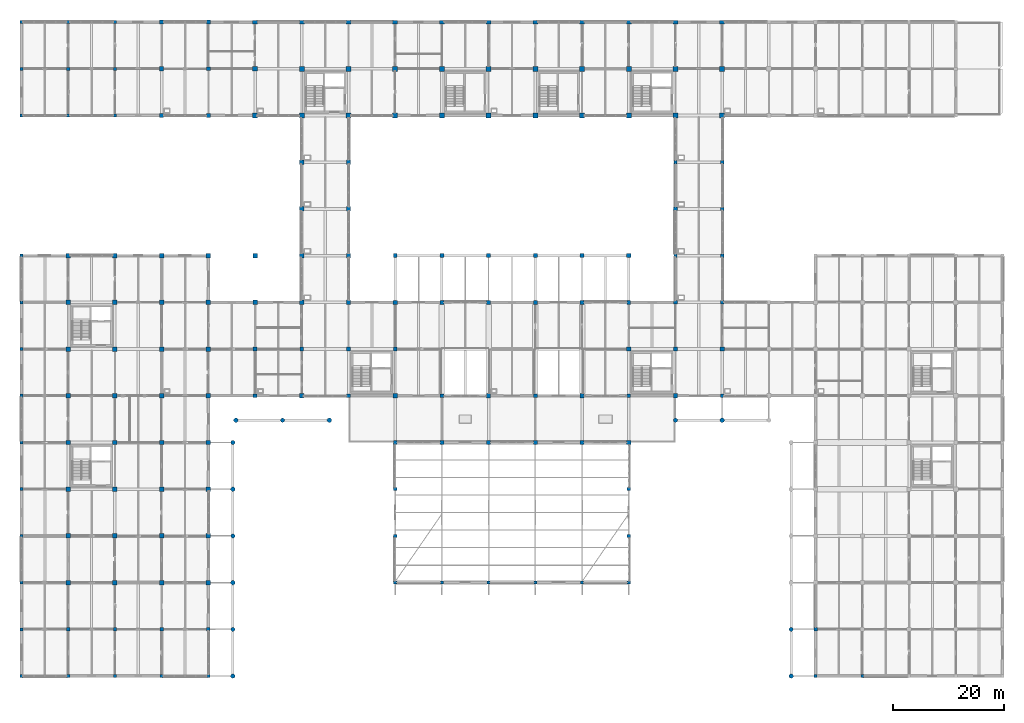
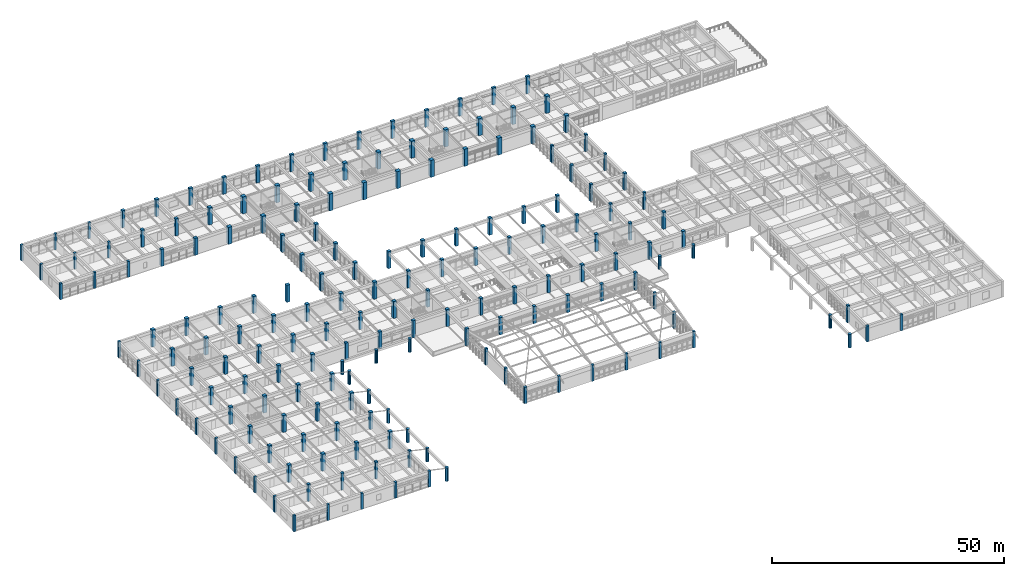
# One storey, part 1 of 99: 178 columns.
"""IFC4 building model written with IfcOpenShell, lengths in metres."""

from ifc_helpers import new_model, si_unit, direction, frame, origin, origin_2d, place, context, subcontext, project, spatial, rectangle, circle, extrude, material, material_profile, profile_set, type_object, element, save


model = new_model("IFC4")

# Units and contexts
model_context = context("Model", 3, precision=1e-05, world=origin(), true_north=direction((0.0, 1.0)))
body_context = subcontext(model_context, "Body", "Model", "MODEL_VIEW")
ifc_project = project(units=[si_unit("LENGTHUNIT", "METRE"), si_unit("AREAUNIT", "SQUARE_METRE"), si_unit("VOLUMEUNIT", "CUBIC_METRE"), si_unit("PLANEANGLEUNIT", "RADIAN"), si_unit("MASSUNIT", "GRAM", prefix="KILO")], contexts=[model_context])

# Site, building, storey
site_placement = place(None, origin())
site = spatial("IfcSite", under=ifc_project, at=site_placement, CompositionType="ELEMENT")
building_placement = place(site_placement, origin())
building = spatial("IfcBuilding", under=site, at=building_placement, Name="Porcellanite Civic Hall", CompositionType="ELEMENT")
storey_placement = place(building_placement, frame((0.0, 0.0, 5.760009765625)))
storey = spatial("IfcBuildingStorey", under=building, at=storey_placement, Name="L01", CompositionType="ELEMENT", Elevation=5.760009765625)

# Columns
ifc_material_1 = material(Name="Concrete N50 (50 MPa)", Category="concrete")
ifc_material_profile_1 = material_profile(ifc_material_1, rectangle(XDim=0.550048828125, YDim=0.550048828125, at=origin_2d()), Name="RC-550x550")
ifc_profile_set_1 = profile_set([ifc_material_profile_1], Name="Concrete N50 (50 MPa)")
column_type_1 = type_object("IfcColumnType", Name="COL-550", PredefinedType="COLUMN", material=ifc_profile_set_1)
for number, where, z_axis, x_axis, name in (
    (1, (0.0, 0.0, 0.0), (0.0, 0.0, 1.0), (1.0, 0.0, 0.0), "Column L01 0-0"),
    (2, (0.0, 8.39990234375, 0.0), (0.0, 0.0, 1.0), (1.0, 0.0, 0.0), "Column L01 0-1"),
    (3, (0.0, 16.800048828125, 0.0), (0.0, 0.0, 1.0), (1.0, 0.0, 0.0), "Column L01 0-2"),
    (4, (0.0, 25.199951171875, 0.0), (0.0, 0.0, 1.0), (1.0, 0.0, 0.0), "Column L01 0-3"),
    (5, (0.0, 33.60009765625, 0.0), (0.0, 0.0, 1.0), (1.0, 0.0, 0.0), "Column L01 0-4"),
    (6, (0.0, 42.0, 0.0), (0.0, 0.0, 1.0), (1.0, 0.0, 0.0), "Column L01 0-5"),
    (7, (0.0, 50.39990234375, 0.0), (0.0, 0.0, 1.0), (1.0, 0.0, 0.0), "Column L01 0-6"),
    (8, (0.0, 58.800048828125, 0.0), (0.0, 0.0, 1.0), (1.0, 0.0, 0.0), "Column L01 0-7"),
    (9, (0.0, 67.199951171875, 0.0), (0.0, 0.0, 1.0), (1.0, 0.0, 0.0), "Column L01 0-8"),
    (10, (0.0, 75.60009765625, 0.0), (0.0, 0.0, 1.0), (1.0, 0.0, 0.0), "Column L01 0-9"),
    (11, (0.0, 100.800048828125, 0.0), (0.0, 0.0, 1.0), (1.0, 0.0, 0.0), "Column L01 0-12"),
    (12, (0.0, 109.199951171875, 0.0), (0.0, 0.0, 1.0), (1.0, 0.0, 0.0), "Column L01 0-13"),
    (13, (0.0, 117.60009765625, 0.0), (0.0, 0.0, 1.0), (1.0, 0.0, 0.0), "Column L01 0-14"),
    (14, (8.39990234375, 0.0, 0.0), (0.0, 0.0, 1.0), (1.0, 0.0, 0.0), "Column L01 1-0"),
    (15, (8.39990234375, 100.800048828125, 0.0), (0.0, 0.0, 1.0), (1.0, 0.0, 0.0), "Column L01 1-12"),
    (16, (8.39990234375, 109.199951171875, 0.0), (0.0, 0.0, 1.0), (1.0, 0.0, 0.0), "Column L01 1-13"),
    (17, (8.39990234375, 117.60009765625, 0.0), (0.0, 0.0, 1.0), (1.0, 0.0, 0.0), "Column L01 1-14"),
    (18, (16.800048828125, 0.0, 0.0), (0.0, 0.0, 1.0), (1.0, 0.0, 0.0), "Column L01 2-0"),
    (19, (16.800048828125, 100.800048828125, 0.0), (0.0, 0.0, 1.0), (1.0, 0.0, 0.0), "Column L01 2-12"),
    (20, (16.800048828125, 109.199951171875, 0.0), (0.0, 0.0, 1.0), (1.0, 0.0, 0.0), "Column L01 2-13"),
    (21, (16.800048828125, 117.60009765625, 0.0), (0.0, 0.0, 1.0), (1.0, 0.0, 0.0), "Column L01 2-14"),
    (22, (25.199951171875, 0.0, 0.0), (0.0, 0.0, 1.0), (1.0, 0.0, 0.0), "Column L01 3-0"),
    (23, (33.60009765625, 0.0, 0.0), (0.0, 0.0, 1.0), (1.0, 0.0, 0.0), "Column L01 4-0"),
):
    element("IfcColumn", number, at=place(storey_placement, frame(where, z_axis=z_axis, x_axis=x_axis)), inside=storey, type_object=column_type_1, Name=name, PredefinedType="COLUMN", context=body_context, shape_type="SweptSolid", body=[
        extrude(rectangle(XDim=0.550048828125, YDim=0.550048828125, at=origin_2d()), origin(), (0.0, 0.0, 1.0), 4.199951171875),
    ])
for number, where, z_axis, x_axis, name in (
    (24, (67.199951171875, 16.800048828125, 0.0), (0.0, 0.0, 1.0), (1.0, 0.0, 0.0), "Column L01 8-2"),
    (25, (67.199951171875, 25.199951171875, 0.0), (0.0, 0.0, 1.0), (1.0, 0.0, 0.0), "Column L01 8-3"),
    (26, (67.199951171875, 33.60009765625, 0.0), (0.0, 0.0, 1.0), (1.0, 0.0, 0.0), "Column L01 8-4"),
    (27, (75.60009765625, 16.800048828125, 0.0), (0.0, 0.0, 1.0), (1.0, 0.0, 0.0), "Column L01 9-2"),
    (28, (84.0, 16.800048828125, 0.0), (0.0, 0.0, 1.0), (1.0, 0.0, 0.0), "Column L01 10-2"),
    (29, (92.39990234375, 16.800048828125, 0.0), (0.0, 0.0, 1.0), (1.0, 0.0, 0.0), "Column L01 11-2"),
    (30, (100.800048828125, 16.800048828125, 0.0), (0.0, 0.0, 1.0), (1.0, 0.0, 0.0), "Column L01 12-2"),
    (31, (109.199951171875, 16.800048828125, 0.0), (0.0, 0.0, 1.0), (1.0, 0.0, 0.0), "Column L01 13-2"),
    (32, (109.199951171875, 25.199951171875, 0.0), (0.0, 0.0, 1.0), (1.0, 0.0, 0.0), "Column L01 13-3"),
    (33, (109.199951171875, 33.60009765625, 0.0), (0.0, 0.0, 1.0), (1.0, 0.0, 0.0), "Column L01 13-4"),
):
    element("IfcColumn", number, at=place(storey_placement, frame(where, z_axis=z_axis, x_axis=x_axis)), inside=storey, type_object=column_type_1, Name=name, PredefinedType="COLUMN", context=body_context, shape_type="SweptSolid", body=[
        extrude(rectangle(XDim=0.550048828125, YDim=0.550048828125, at=origin_2d()), origin(), (0.0, 0.0, 1.0), 4.340087890625),
    ])
for number, where, z_axis, x_axis, name in (
    (34, (142.800048828125, 0.0, 0.0), (0.0, 0.0, 1.0), (1.0, 0.0, 0.0), "Column L01 17-0"),
    (35, (151.199951171875, 0.0, 0.0), (0.0, 0.0, 1.0), (1.0, 0.0, 0.0), "Column L01 18-0"),
):
    element("IfcColumn", number, at=place(storey_placement, frame(where, z_axis=z_axis, x_axis=x_axis)), inside=storey, type_object=column_type_1, Name=name, PredefinedType="COLUMN", context=body_context, shape_type="SweptSolid", body=[
        extrude(rectangle(XDim=0.550048828125, YDim=0.550048828125, at=origin_2d()), origin(), (0.0, 0.0, 1.0), 4.199951171875),
    ])
ifc_material_2 = material(Name="Concrete N50 (50 MPa)", Category="concrete")
ifc_material_profile_2 = material_profile(ifc_material_2, rectangle(XDim=0.60009765625, YDim=0.60009765625, at=origin_2d()), Name="RC-600x600")
ifc_profile_set_2 = profile_set([ifc_material_profile_2], Name="Concrete N50 (50 MPa)")
column_type_2 = type_object("IfcColumnType", Name="COL-600", PredefinedType="COLUMN", material=ifc_profile_set_2)
for number, where, z_axis, x_axis, name in (
    (36, (16.800048828125, 8.39990234375, 0.0), (0.0, 0.0, 1.0), (1.0, 0.0, 0.0), "Column L01 2-1"),
    (37, (33.60009765625, 8.39990234375, 0.0), (0.0, 0.0, 1.0), (1.0, 0.0, 0.0), "Column L01 4-1"),
    (38, (117.60009765625, 75.60009765625, 0.0), (0.0, 0.0, 1.0), (1.0, 0.0, 0.0), "Column L01 14-9"),
    (39, (117.60009765625, 92.39990234375, 0.0), (0.0, 0.0, 1.0), (1.0, 0.0, 0.0), "Column L01 14-11"),
    (40, (126.0, 67.199951171875, 0.0), (0.0, 0.0, 1.0), (1.0, 0.0, 0.0), "Column L01 15-8"),
    (41, (126.0, 84.0, 0.0), (0.0, 0.0, 1.0), (1.0, 0.0, 0.0), "Column L01 15-10"),
):
    element("IfcColumn", number, at=place(storey_placement, frame(where, z_axis=z_axis, x_axis=x_axis)), inside=storey, type_object=column_type_2, Name=name, PredefinedType="COLUMN", context=body_context, shape_type="SweptSolid", body=[
        extrude(rectangle(XDim=0.60009765625, YDim=0.60009765625, at=origin_2d()), origin(), (0.0, 0.0, 1.0), 4.5),
    ])
ifc_material_3 = material(Name="Concrete N50 (50 MPa)", Category="concrete")
ifc_material_profile_3 = material_profile(ifc_material_3, rectangle(XDim=0.64990234375, YDim=0.64990234375, at=origin_2d()), Name="RC-650x650")
ifc_profile_set_3 = profile_set([ifc_material_profile_3], Name="Concrete N50 (50 MPa)")
column_type_3 = type_object("IfcColumnType", Name="COL-650", PredefinedType="COLUMN", material=ifc_profile_set_3)
for number, where, z_axis, x_axis, name in (
    (42, (8.39990234375, 8.39990234375, 0.0), (0.0, 0.0, 1.0), (1.0, 0.0, 0.0), "Column L01 1-1"),
    (43, (25.199951171875, 8.39990234375, 0.0), (0.0, 0.0, 1.0), (1.0, 0.0, 0.0), "Column L01 3-1"),
    (44, (117.60009765625, 67.199951171875, 0.0), (0.0, 0.0, 1.0), (1.0, 0.0, 0.0), "Column L01 14-8"),
    (45, (117.60009765625, 84.0, 0.0), (0.0, 0.0, 1.0), (1.0, 0.0, 0.0), "Column L01 14-10"),
    (46, (126.0, 75.60009765625, 0.0), (0.0, 0.0, 1.0), (1.0, 0.0, 0.0), "Column L01 15-9"),
    (47, (126.0, 92.39990234375, 0.0), (0.0, 0.0, 1.0), (1.0, 0.0, 0.0), "Column L01 15-11"),
    (48, (142.800048828125, 8.39990234375, 0.0), (0.0, 0.0, 1.0), (1.0, 0.0, 0.0), "Column L01 17-1"),
):
    element("IfcColumn", number, at=place(storey_placement, frame(where, z_axis=z_axis, x_axis=x_axis)), inside=storey, type_object=column_type_3, Name=name, PredefinedType="COLUMN", context=body_context, shape_type="SweptSolid", body=[
        extrude(rectangle(XDim=0.64990234375, YDim=0.64990234375, at=origin_2d()), origin(), (0.0, 0.0, 1.0), 4.5),
    ])
ifc_material_4 = material(Name="Concrete N50 (50 MPa)", Category="concrete")
ifc_material_profile_4 = material_profile(ifc_material_4, rectangle(XDim=0.699951171875, YDim=0.699951171875, at=origin_2d()), Name="RC-700x700")
ifc_profile_set_4 = profile_set([ifc_material_profile_4], Name="Concrete N50 (50 MPa)")
column_type_4 = type_object("IfcColumnType", Name="COL-700", PredefinedType="COLUMN", material=ifc_profile_set_4)
for number, where, z_axis, x_axis, name in (
    (49, (25.199951171875, 100.800048828125, 0.0), (0.0, 0.0, 1.0), (1.0, 0.0, 0.0), "Column L01 3-12"),
    (50, (25.199951171875, 117.60009765625, 0.0), (0.0, 0.0, 1.0), (1.0, 0.0, 0.0), "Column L01 3-14"),
    (51, (33.60009765625, 109.199951171875, 0.0), (0.0, 0.0, 1.0), (1.0, 0.0, 0.0), "Column L01 4-13"),
    (52, (42.0, 50.39990234375, 0.0), (0.0, 0.0, 1.0), (1.0, 0.0, 0.0), "Column L01 5-6"),
    (53, (50.39990234375, 58.800048828125, 0.0), (0.0, 0.0, 1.0), (1.0, 0.0, 0.0), "Column L01 6-7"),
    (54, (58.800048828125, 50.39990234375, 0.0), (0.0, 0.0, 1.0), (1.0, 0.0, 0.0), "Column L01 7-6"),
    (55, (67.199951171875, 42.0, 0.0), (0.0, 0.0, 1.0), (1.0, 0.0, 0.0), "Column L01 8-5"),
    (56, (67.199951171875, 58.800048828125, 0.0), (0.0, 0.0, 1.0), (1.0, 0.0, 0.0), "Column L01 8-7"),
    (57, (67.199951171875, 75.60009765625, 0.0), (0.0, 0.0, 1.0), (1.0, 0.0, 0.0), "Column L01 8-9"),
    (58, (75.60009765625, 50.39990234375, 0.0), (0.0, 0.0, 1.0), (1.0, 0.0, 0.0), "Column L01 9-6"),
    (59, (75.60009765625, 67.199951171875, 0.0), (0.0, 0.0, 1.0), (1.0, 0.0, 0.0), "Column L01 9-8"),
    (60, (84.0, 42.0, 0.0), (0.0, 0.0, 1.0), (1.0, 0.0, 0.0), "Column L01 10-5"),
    (61, (84.0, 75.60009765625, 0.0), (0.0, 0.0, 1.0), (1.0, 0.0, 0.0), "Column L01 10-9"),
    (62, (92.39990234375, 50.39990234375, 0.0), (0.0, 0.0, 1.0), (1.0, 0.0, 0.0), "Column L01 11-6"),
    (63, (92.39990234375, 67.199951171875, 0.0), (0.0, 0.0, 1.0), (1.0, 0.0, 0.0), "Column L01 11-8"),
    (64, (100.800048828125, 42.0, 0.0), (0.0, 0.0, 1.0), (1.0, 0.0, 0.0), "Column L01 12-5"),
    (65, (100.800048828125, 75.60009765625, 0.0), (0.0, 0.0, 1.0), (1.0, 0.0, 0.0), "Column L01 12-9"),
    (66, (109.199951171875, 50.39990234375, 0.0), (0.0, 0.0, 1.0), (1.0, 0.0, 0.0), "Column L01 13-6"),
    (67, (109.199951171875, 67.199951171875, 0.0), (0.0, 0.0, 1.0), (1.0, 0.0, 0.0), "Column L01 13-8"),
    (68, (117.60009765625, 58.800048828125, 0.0), (0.0, 0.0, 1.0), (1.0, 0.0, 0.0), "Column L01 14-7"),
    (69, (126.0, 50.39990234375, 0.0), (0.0, 0.0, 1.0), (1.0, 0.0, 0.0), "Column L01 15-6"),
):
    element("IfcColumn", number, at=place(storey_placement, frame(where, z_axis=z_axis, x_axis=x_axis)), inside=storey, type_object=column_type_4, Name=name, PredefinedType="COLUMN", context=body_context, shape_type="SweptSolid", body=[
        extrude(rectangle(XDim=0.699951171875, YDim=0.699951171875, at=origin_2d()), origin(), (0.0, 0.0, 1.0), 4.5),
    ])
ifc_material_5 = material(Name="Concrete N50 (50 MPa)", Category="concrete")
ifc_material_profile_5 = material_profile(ifc_material_5, rectangle(XDim=0.75, YDim=0.75, at=origin_2d()), Name="RC-750x750")
ifc_profile_set_5 = profile_set([ifc_material_profile_5], Name="Concrete N50 (50 MPa)")
column_type_5 = type_object("IfcColumnType", Name="COL-750", PredefinedType="COLUMN", material=ifc_profile_set_5)
for number, where, z_axis, x_axis, name in (
    (70, (25.199951171875, 109.199951171875, 0.0), (0.0, 0.0, 1.0), (1.0, 0.0, 0.0), "Column L01 3-13"),
    (71, (33.60009765625, 100.800048828125, 0.0), (0.0, 0.0, 1.0), (1.0, 0.0, 0.0), "Column L01 4-12"),
    (72, (33.60009765625, 117.60009765625, 0.0), (0.0, 0.0, 1.0), (1.0, 0.0, 0.0), "Column L01 4-14"),
    (73, (42.0, 58.800048828125, 0.0), (0.0, 0.0, 1.0), (1.0, 0.0, 0.0), "Column L01 5-7"),
    (74, (50.39990234375, 50.39990234375, 0.0), (0.0, 0.0, 1.0), (1.0, 0.0, 0.0), "Column L01 6-6"),
    (75, (58.800048828125, 58.800048828125, 0.0), (0.0, 0.0, 1.0), (1.0, 0.0, 0.0), "Column L01 7-7"),
    (76, (67.199951171875, 50.39990234375, 0.0), (0.0, 0.0, 1.0), (1.0, 0.0, 0.0), "Column L01 8-6"),
    (77, (67.199951171875, 67.199951171875, 0.0), (0.0, 0.0, 1.0), (1.0, 0.0, 0.0), "Column L01 8-8"),
    (78, (75.60009765625, 42.0, 0.0), (0.0, 0.0, 1.0), (1.0, 0.0, 0.0), "Column L01 9-5"),
    (79, (75.60009765625, 75.60009765625, 0.0), (0.0, 0.0, 1.0), (1.0, 0.0, 0.0), "Column L01 9-9"),
    (80, (84.0, 50.39990234375, 0.0), (0.0, 0.0, 1.0), (1.0, 0.0, 0.0), "Column L01 10-6"),
    (81, (84.0, 67.199951171875, 0.0), (0.0, 0.0, 1.0), (1.0, 0.0, 0.0), "Column L01 10-8"),
    (82, (92.39990234375, 42.0, 0.0), (0.0, 0.0, 1.0), (1.0, 0.0, 0.0), "Column L01 11-5"),
    (83, (92.39990234375, 75.60009765625, 0.0), (0.0, 0.0, 1.0), (1.0, 0.0, 0.0), "Column L01 11-9"),
    (84, (100.800048828125, 50.39990234375, 0.0), (0.0, 0.0, 1.0), (1.0, 0.0, 0.0), "Column L01 12-6"),
    (85, (100.800048828125, 67.199951171875, 0.0), (0.0, 0.0, 1.0), (1.0, 0.0, 0.0), "Column L01 12-8"),
    (86, (109.199951171875, 42.0, 0.0), (0.0, 0.0, 1.0), (1.0, 0.0, 0.0), "Column L01 13-5"),
    (87, (109.199951171875, 58.800048828125, 0.0), (0.0, 0.0, 1.0), (1.0, 0.0, 0.0), "Column L01 13-7"),
    (88, (109.199951171875, 75.60009765625, 0.0), (0.0, 0.0, 1.0), (1.0, 0.0, 0.0), "Column L01 13-9"),
    (89, (117.60009765625, 50.39990234375, 0.0), (0.0, 0.0, 1.0), (1.0, 0.0, 0.0), "Column L01 14-6"),
    (90, (126.0, 58.800048828125, 0.0), (0.0, 0.0, 1.0), (1.0, 0.0, 0.0), "Column L01 15-7"),
):
    element("IfcColumn", number, at=place(storey_placement, frame(where, z_axis=z_axis, x_axis=x_axis)), inside=storey, type_object=column_type_5, Name=name, PredefinedType="COLUMN", context=body_context, shape_type="SweptSolid", body=[
        extrude(rectangle(XDim=0.75, YDim=0.75, at=origin_2d()), origin(), (0.0, 0.0, 1.0), 4.5),
    ])
ifc_material_6 = material(Name="Concrete N50 (50 MPa)", Category="concrete")
ifc_material_profile_6 = material_profile(ifc_material_6, rectangle(XDim=0.800048828125, YDim=0.800048828125, at=origin_2d()), Name="RC-800x800")
ifc_profile_set_6 = profile_set([ifc_material_profile_6], Name="Concrete N50 (50 MPa)")
column_type_6 = type_object("IfcColumnType", Name="COL-800", PredefinedType="COLUMN", material=ifc_profile_set_6)
for number, where, z_axis, x_axis, name in (
    (91, (8.39990234375, 16.800048828125, 0.0), (0.0, 0.0, 1.0), (1.0, 0.0, 0.0), "Column L01 1-2"),
    (92, (8.39990234375, 25.199951171875, 0.0), (0.0, 0.0, 1.0), (1.0, 0.0, 0.0), "Column L01 1-3"),
    (93, (8.39990234375, 33.60009765625, 0.0), (0.0, 0.0, 1.0), (1.0, 0.0, 0.0), "Column L01 1-4"),
    (94, (8.39990234375, 42.0, 0.0), (0.0, 0.0, 1.0), (1.0, 0.0, 0.0), "Column L01 1-5"),
    (95, (8.39990234375, 50.39990234375, 0.0), (0.0, 0.0, 1.0), (1.0, 0.0, 0.0), "Column L01 1-6"),
    (96, (8.39990234375, 58.800048828125, 0.0), (0.0, 0.0, 1.0), (1.0, 0.0, 0.0), "Column L01 1-7"),
    (97, (8.39990234375, 67.199951171875, 0.0), (0.0, 0.0, 1.0), (1.0, 0.0, 0.0), "Column L01 1-8"),
    (98, (8.39990234375, 75.60009765625, 0.0), (0.0, 0.0, 1.0), (1.0, 0.0, 0.0), "Column L01 1-9"),
    (99, (16.800048828125, 16.800048828125, 0.0), (0.0, 0.0, 1.0), (1.0, 0.0, 0.0), "Column L01 2-2"),
    (100, (16.800048828125, 25.199951171875, 0.0), (0.0, 0.0, 1.0), (1.0, 0.0, 0.0), "Column L01 2-3"),
    (101, (16.800048828125, 33.60009765625, 0.0), (0.0, 0.0, 1.0), (1.0, 0.0, 0.0), "Column L01 2-4"),
    (102, (16.800048828125, 42.0, 0.0), (0.0, 0.0, 1.0), (1.0, 0.0, 0.0), "Column L01 2-5"),
    (103, (16.800048828125, 50.39990234375, 0.0), (0.0, 0.0, 1.0), (1.0, 0.0, 0.0), "Column L01 2-6"),
    (104, (16.800048828125, 58.800048828125, 0.0), (0.0, 0.0, 1.0), (1.0, 0.0, 0.0), "Column L01 2-7"),
    (105, (16.800048828125, 67.199951171875, 0.0), (0.0, 0.0, 1.0), (1.0, 0.0, 0.0), "Column L01 2-8"),
    (106, (16.800048828125, 75.60009765625, 0.0), (0.0, 0.0, 1.0), (1.0, 0.0, 0.0), "Column L01 2-9"),
    (107, (25.199951171875, 16.800048828125, 0.0), (0.0, 0.0, 1.0), (1.0, 0.0, 0.0), "Column L01 3-2"),
    (108, (25.199951171875, 25.199951171875, 0.0), (0.0, 0.0, 1.0), (1.0, 0.0, 0.0), "Column L01 3-3"),
    (109, (25.199951171875, 33.60009765625, 0.0), (0.0, 0.0, 1.0), (1.0, 0.0, 0.0), "Column L01 3-4"),
    (110, (25.199951171875, 42.0, 0.0), (0.0, 0.0, 1.0), (1.0, 0.0, 0.0), "Column L01 3-5"),
    (111, (25.199951171875, 50.39990234375, 0.0), (0.0, 0.0, 1.0), (1.0, 0.0, 0.0), "Column L01 3-6"),
    (112, (25.199951171875, 58.800048828125, 0.0), (0.0, 0.0, 1.0), (1.0, 0.0, 0.0), "Column L01 3-7"),
    (113, (25.199951171875, 67.199951171875, 0.0), (0.0, 0.0, 1.0), (1.0, 0.0, 0.0), "Column L01 3-8"),
    (114, (25.199951171875, 75.60009765625, 0.0), (0.0, 0.0, 1.0), (1.0, 0.0, 0.0), "Column L01 3-9"),
    (115, (33.60009765625, 16.800048828125, 0.0), (0.0, 0.0, 1.0), (1.0, 0.0, 0.0), "Column L01 4-2"),
    (116, (33.60009765625, 25.199951171875, 0.0), (0.0, 0.0, 1.0), (1.0, 0.0, 0.0), "Column L01 4-3"),
    (117, (33.60009765625, 33.60009765625, 0.0), (0.0, 0.0, 1.0), (1.0, 0.0, 0.0), "Column L01 4-4"),
    (118, (33.60009765625, 42.0, 0.0), (0.0, 0.0, 1.0), (1.0, 0.0, 0.0), "Column L01 4-5"),
    (119, (33.60009765625, 50.39990234375, 0.0), (0.0, 0.0, 1.0), (1.0, 0.0, 0.0), "Column L01 4-6"),
    (120, (33.60009765625, 58.800048828125, 0.0), (0.0, 0.0, 1.0), (1.0, 0.0, 0.0), "Column L01 4-7"),
    (121, (33.60009765625, 67.199951171875, 0.0), (0.0, 0.0, 1.0), (1.0, 0.0, 0.0), "Column L01 4-8"),
    (122, (33.60009765625, 75.60009765625, 0.0), (0.0, 0.0, 1.0), (1.0, 0.0, 0.0), "Column L01 4-9"),
    (123, (42.0, 67.199951171875, 0.0), (0.0, 0.0, 1.0), (1.0, 0.0, 0.0), "Column L01 5-8"),
    (124, (42.0, 75.60009765625, 0.0), (0.0, 0.0, 1.0), (1.0, 0.0, 0.0), "Column L01 5-9"),
    (125, (50.39990234375, 67.199951171875, 0.0), (0.0, 0.0, 1.0), (1.0, 0.0, 0.0), "Column L01 6-8"),
    (126, (50.39990234375, 75.60009765625, 0.0), (0.0, 0.0, 1.0), (1.0, 0.0, 0.0), "Column L01 6-9"),
    (127, (50.39990234375, 84.0, 0.0), (0.0, 0.0, 1.0), (1.0, 0.0, 0.0), "Column L01 6-10"),
    (128, (50.39990234375, 92.39990234375, 0.0), (0.0, 0.0, 1.0), (1.0, 0.0, 0.0), "Column L01 6-11"),
    (129, (58.800048828125, 67.199951171875, 0.0), (0.0, 0.0, 1.0), (1.0, 0.0, 0.0), "Column L01 7-8"),
    (130, (58.800048828125, 75.60009765625, 0.0), (0.0, 0.0, 1.0), (1.0, 0.0, 0.0), "Column L01 7-9"),
    (131, (58.800048828125, 84.0, 0.0), (0.0, 0.0, 1.0), (1.0, 0.0, 0.0), "Column L01 7-10"),
    (132, (58.800048828125, 92.39990234375, 0.0), (0.0, 0.0, 1.0), (1.0, 0.0, 0.0), "Column L01 7-11"),
):
    element("IfcColumn", number, at=place(storey_placement, frame(where, z_axis=z_axis, x_axis=x_axis)), inside=storey, type_object=column_type_6, Name=name, PredefinedType="COLUMN", context=body_context, shape_type="SweptSolid", body=[
        extrude(rectangle(XDim=0.800048828125, YDim=0.800048828125, at=origin_2d()), origin(), (0.0, 0.0, 1.0), 4.5),
    ])
ifc_material_7 = material(Name="Concrete N50 (50 MPa)", Category="concrete")
ifc_material_profile_7 = material_profile(ifc_material_7, rectangle(XDim=0.85009765625, YDim=0.85009765625, at=origin_2d()), Name="RC-850x850")
ifc_profile_set_7 = profile_set([ifc_material_profile_7], Name="Concrete N50 (50 MPa)")
column_type_7 = type_object("IfcColumnType", Name="COL-850", PredefinedType="COLUMN", material=ifc_profile_set_7)
for number, where, z_axis, x_axis, name in (
    (133, (42.0, 100.800048828125, 0.0), (0.0, 0.0, 1.0), (1.0, 0.0, 0.0), "Column L01 5-12"),
    (134, (42.0, 109.199951171875, 0.0), (0.0, 0.0, 1.0), (1.0, 0.0, 0.0), "Column L01 5-13"),
):
    element("IfcColumn", number, at=place(storey_placement, frame(where, z_axis=z_axis, x_axis=x_axis)), inside=storey, type_object=column_type_7, Name=name, PredefinedType="COLUMN", context=body_context, shape_type="SweptSolid", body=[
        extrude(rectangle(XDim=0.85009765625, YDim=0.85009765625, at=origin_2d()), origin(), (0.0, 0.0, 1.0), 4.5),
    ])
ifc_material_8 = material(Name="Concrete N50 (50 MPa)", Category="concrete")
ifc_material_profile_8 = material_profile(ifc_material_8, rectangle(XDim=0.89990234375, YDim=0.89990234375, at=origin_2d()), Name="RC-900x900")
ifc_profile_set_8 = profile_set([ifc_material_profile_8], Name="Concrete N50 (50 MPa)")
column_type_8 = type_object("IfcColumnType", Name="COL-900", PredefinedType="COLUMN", material=ifc_profile_set_8)
for number, where, z_axis, x_axis, name in (
    (135, (50.39990234375, 100.800048828125, 0.0), (0.0, 0.0, 1.0), (1.0, 0.0, 0.0), "Column L01 6-12"),
    (136, (50.39990234375, 109.199951171875, 0.0), (0.0, 0.0, 1.0), (1.0, 0.0, 0.0), "Column L01 6-13"),
    (137, (58.800048828125, 100.800048828125, 0.0), (0.0, 0.0, 1.0), (1.0, 0.0, 0.0), "Column L01 7-12"),
    (138, (58.800048828125, 109.199951171875, 0.0), (0.0, 0.0, 1.0), (1.0, 0.0, 0.0), "Column L01 7-13"),
    (139, (67.199951171875, 100.800048828125, 0.0), (0.0, 0.0, 1.0), (1.0, 0.0, 0.0), "Column L01 8-12"),
    (140, (67.199951171875, 109.199951171875, 0.0), (0.0, 0.0, 1.0), (1.0, 0.0, 0.0), "Column L01 8-13"),
    (141, (75.60009765625, 100.800048828125, 0.0), (0.0, 0.0, 1.0), (1.0, 0.0, 0.0), "Column L01 9-12"),
    (142, (75.60009765625, 109.199951171875, 0.0), (0.0, 0.0, 1.0), (1.0, 0.0, 0.0), "Column L01 9-13"),
    (143, (84.0, 100.800048828125, 0.0), (0.0, 0.0, 1.0), (1.0, 0.0, 0.0), "Column L01 10-12"),
    (144, (84.0, 109.199951171875, 0.0), (0.0, 0.0, 1.0), (1.0, 0.0, 0.0), "Column L01 10-13"),
    (145, (92.39990234375, 100.800048828125, 0.0), (0.0, 0.0, 1.0), (1.0, 0.0, 0.0), "Column L01 11-12"),
    (146, (92.39990234375, 109.199951171875, 0.0), (0.0, 0.0, 1.0), (1.0, 0.0, 0.0), "Column L01 11-13"),
    (147, (100.800048828125, 100.800048828125, 0.0), (0.0, 0.0, 1.0), (1.0, 0.0, 0.0), "Column L01 12-12"),
    (148, (100.800048828125, 109.199951171875, 0.0), (0.0, 0.0, 1.0), (1.0, 0.0, 0.0), "Column L01 12-13"),
    (149, (109.199951171875, 100.800048828125, 0.0), (0.0, 0.0, 1.0), (1.0, 0.0, 0.0), "Column L01 13-12"),
    (150, (109.199951171875, 109.199951171875, 0.0), (0.0, 0.0, 1.0), (1.0, 0.0, 0.0), "Column L01 13-13"),
    (151, (117.60009765625, 100.800048828125, 0.0), (0.0, 0.0, 1.0), (1.0, 0.0, 0.0), "Column L01 14-12"),
    (152, (117.60009765625, 109.199951171875, 0.0), (0.0, 0.0, 1.0), (1.0, 0.0, 0.0), "Column L01 14-13"),
    (153, (126.0, 100.800048828125, 0.0), (0.0, 0.0, 1.0), (1.0, 0.0, 0.0), "Column L01 15-12"),
    (154, (126.0, 109.199951171875, 0.0), (0.0, 0.0, 1.0), (1.0, 0.0, 0.0), "Column L01 15-13"),
):
    element("IfcColumn", number, at=place(storey_placement, frame(where, z_axis=z_axis, x_axis=x_axis)), inside=storey, type_object=column_type_8, Name=name, PredefinedType="COLUMN", context=body_context, shape_type="SweptSolid", body=[
        extrude(rectangle(XDim=0.89990234375, YDim=0.89990234375, at=origin_2d()), origin(), (0.0, 0.0, 1.0), 4.5),
    ])
ifc_material_9 = material(Name="Concrete N50 (50 MPa)", Category="concrete")
ifc_material_profile_9 = material_profile(ifc_material_9, rectangle(XDim=0.89990234375, YDim=0.60009765625, at=origin_2d()), Name="RC-900x600")
ifc_profile_set_9 = profile_set([ifc_material_profile_9], Name="Concrete N50 (50 MPa)")
column_type_9 = type_object("IfcColumnType", Name="COL-900x600", PredefinedType="COLUMN", material=ifc_profile_set_9)
for number, where, z_axis, x_axis, name in (
    (155, (42.0, 117.60009765625, 0.0), (0.0, 0.0, 1.0), (1.0, 0.0, 0.0), "Column L01 5-14"),
    (156, (50.39990234375, 117.60009765625, 0.0), (0.0, 0.0, 1.0), (1.0, 0.0, 0.0), "Column L01 6-14"),
    (157, (58.800048828125, 117.60009765625, 0.0), (0.0, 0.0, 1.0), (1.0, 0.0, 0.0), "Column L01 7-14"),
    (158, (67.199951171875, 117.60009765625, 0.0), (0.0, 0.0, 1.0), (1.0, 0.0, 0.0), "Column L01 8-14"),
    (159, (75.60009765625, 117.60009765625, 0.0), (0.0, 0.0, 1.0), (1.0, 0.0, 0.0), "Column L01 9-14"),
    (160, (84.0, 117.60009765625, 0.0), (0.0, 0.0, 1.0), (1.0, 0.0, 0.0), "Column L01 10-14"),
    (161, (92.39990234375, 117.60009765625, 0.0), (0.0, 0.0, 1.0), (1.0, 0.0, 0.0), "Column L01 11-14"),
    (162, (100.800048828125, 117.60009765625, 0.0), (0.0, 0.0, 1.0), (1.0, 0.0, 0.0), "Column L01 12-14"),
    (163, (109.199951171875, 117.60009765625, 0.0), (0.0, 0.0, 1.0), (1.0, 0.0, 0.0), "Column L01 13-14"),
    (164, (117.60009765625, 117.60009765625, 0.0), (0.0, 0.0, 1.0), (1.0, 0.0, 0.0), "Column L01 14-14"),
    (165, (126.0, 117.60009765625, 0.0), (0.0, 0.0, 1.0), (1.0, 0.0, 0.0), "Column L01 15-14"),
):
    element("IfcColumn", number, at=place(storey_placement, frame(where, z_axis=z_axis, x_axis=x_axis)), inside=storey, type_object=column_type_9, Name=name, PredefinedType="COLUMN", context=body_context, shape_type="SweptSolid", body=[
        extrude(rectangle(XDim=0.89990234375, YDim=0.60009765625, at=origin_2d()), origin(), (0.0, 0.0, 1.0), 4.5),
    ])
ifc_material_10 = material(Name="Concrete N50 (50 MPa)", Category="concrete")
ifc_material_profile_10 = material_profile(ifc_material_10, circle(Radius=0.375, at=origin_2d()), Name="RC-D750")
ifc_profile_set_10 = profile_set([ifc_material_profile_10], Name="Concrete N50 (50 MPa)")
column_type_10 = type_object("IfcColumnType", Name="PIER-D750", PredefinedType="PILASTER", material=ifc_profile_set_10)
for number, where, z_axis, x_axis, name in (
    (166, (38.0, 8.39990234375, 0.0), (0.0, 0.0, 1.0), (1.0, 0.0, 0.0), "Colonnade pier L01 COL-W-P02"),
    (167, (38.0, 25.199951171875, 0.0), (0.0, 0.0, 1.0), (1.0, 0.0, 0.0), "Colonnade pier L01 COL-W-P04"),
    (168, (38.0, 42.0, 0.0), (0.0, 0.0, 1.0), (1.0, 0.0, 0.0), "Colonnade pier L01 COL-W-P06"),
    (169, (138.39990234375, 8.39990234375, 0.0), (0.0, 0.0, 1.0), (1.0, 0.0, 0.0), "Colonnade pier L01 COL-E-P02"),
    (170, (46.949951171875, 46.0, 0.0), (0.0, 0.0, 1.0), (1.0, 0.0, 0.0), "Colonnade pier L01 COL-NW-P02"),
    (171, (117.60009765625, 46.0, 0.0), (0.0, 0.0, 1.0), (1.0, 0.0, 0.0), "Colonnade pier L01 COL-NE-P01"),
):
    element("IfcColumn", number, at=place(storey_placement, frame(where, z_axis=z_axis, x_axis=x_axis)), inside=storey, type_object=column_type_10, Name=name, PredefinedType="PILASTER", context=body_context, shape_type="SweptSolid", body=[
        extrude(circle(Radius=0.375, at=origin_2d()), origin(), (0.0, 0.0, 1.0), 3.530029296875),
    ])
ifc_material_11 = material(Name="Concrete N50 (50 MPa)", Category="concrete")
ifc_material_profile_11 = material_profile(ifc_material_11, circle(Radius=0.39990234375, at=origin_2d()), Name="RC-D800")
ifc_profile_set_11 = profile_set([ifc_material_profile_11], Name="Concrete N50 (50 MPa)")
column_type_11 = type_object("IfcColumnType", Name="PIER-D800", PredefinedType="PILASTER", material=ifc_profile_set_11)
for number, where, z_axis, x_axis, name in (
    (172, (38.0, 0.0, 0.0), (0.0, 0.0, 1.0), (1.0, 0.0, 0.0), "Colonnade pier L01 COL-W-P01"),
    (173, (38.0, 16.800048828125, 0.0), (0.0, 0.0, 1.0), (1.0, 0.0, 0.0), "Colonnade pier L01 COL-W-P03"),
    (174, (38.0, 33.60009765625, 0.0), (0.0, 0.0, 1.0), (1.0, 0.0, 0.0), "Colonnade pier L01 COL-W-P05"),
    (175, (138.39990234375, 0.0, 0.0), (0.0, 0.0, 1.0), (1.0, 0.0, 0.0), "Colonnade pier L01 COL-E-P01"),
    (176, (38.550048828125, 46.0, 0.0), (0.0, 0.0, 1.0), (1.0, 0.0, 0.0), "Colonnade pier L01 COL-NW-P01"),
    (177, (55.35009765625, 46.0, 0.0), (0.0, 0.0, 1.0), (1.0, 0.0, 0.0), "Colonnade pier L01 COL-NW-P03"),
    (178, (126.0, 46.0, 0.0), (0.0, 0.0, 1.0), (1.0, 0.0, 0.0), "Colonnade pier L01 COL-NE-P02"),
):
    element("IfcColumn", number, at=place(storey_placement, frame(where, z_axis=z_axis, x_axis=x_axis)), inside=storey, type_object=column_type_11, Name=name, PredefinedType="PILASTER", context=body_context, shape_type="SweptSolid", body=[
        extrude(circle(Radius=0.39990234375, at=origin_2d()), origin(), (0.0, 0.0, 1.0), 3.530029296875),
    ])

save(model, "model.ifc")
